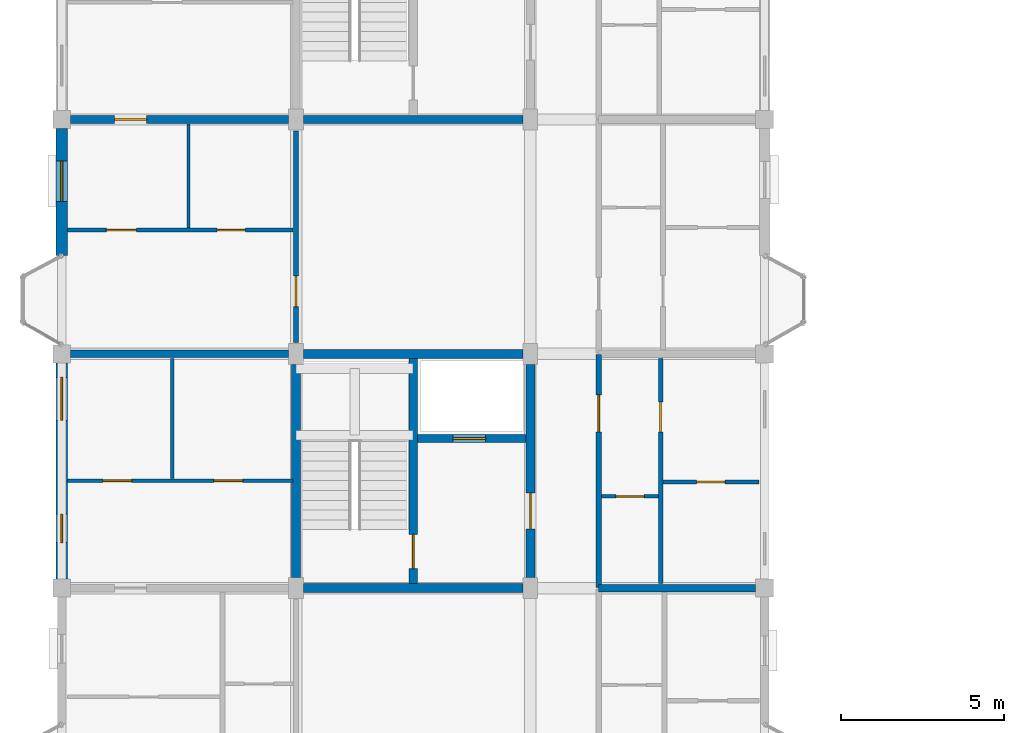
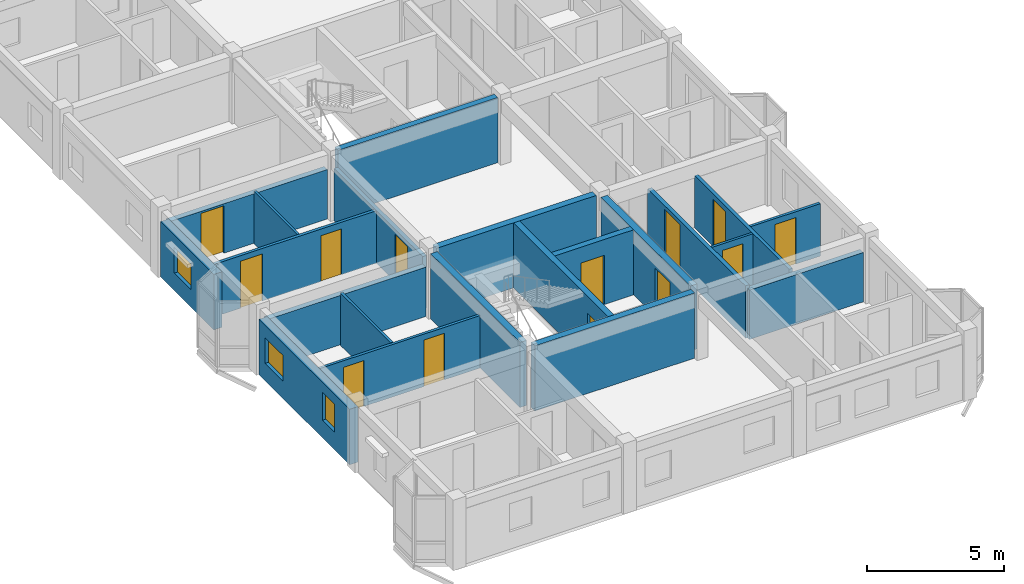
# One storey, part 56 of 77: 21 walls, 13 doors, 3 windows, 16 openings.
"""IFC4 building model written with IfcOpenShell, lengths in metres."""

from ifc_helpers import new_model, si_unit, direction, frame, frame_2d, origin, place, context, subcontext, project, spatial, rectangle, extrude, material, layer, layer_set, type_object, element, fill, save


model = new_model("IFC4")

# Units and contexts
model_context = context("Model", 3, precision=1e-05, world=origin(), true_north=direction((0.0, 1.0)))
body_context = subcontext(model_context, "Body", "Model", "MODEL_VIEW")
ifc_project = project(units=[si_unit("LENGTHUNIT", "METRE"), si_unit("AREAUNIT", "SQUARE_METRE"), si_unit("VOLUMEUNIT", "CUBIC_METRE"), si_unit("PLANEANGLEUNIT", "RADIAN"), si_unit("MASSUNIT", "GRAM", prefix="KILO"), si_unit("THERMODYNAMICTEMPERATUREUNIT", "KELVIN"), si_unit("POWERUNIT", "WATT")], contexts=[model_context])

# Site, building, storey
site_placement = place(None, origin())
site = spatial("IfcSite", under=ifc_project, at=site_placement, CompositionType="ELEMENT")
building_placement = place(site_placement, origin())
building = spatial("IfcBuilding", under=site, at=building_placement, Name="Tavuni Mirador Residences", CompositionType="ELEMENT")
storey_placement = place(building_placement, frame((0.0, 0.0, 17.10009765625)))
storey = spatial("IfcBuildingStorey", under=building, at=storey_placement, Name="L05", CompositionType="ELEMENT", Elevation=17.10009765625)

# Wall, opening, door
ifc_material_1 = material(Name="Precast concrete C40/50", Category="concrete")
ifc_layer_1 = layer(ifc_material_1, 0.25, Name="Precast concrete C40/50", Category="concrete")
ifc_layer_set_1 = layer_set([ifc_layer_1], Name="Precast concrete C40/50")
wall_type_1 = type_object("IfcWallType", Name="WT-COR250", PredefinedType="SHEAR", material=ifc_layer_set_1)
wall_1_placement = place(storey_placement, frame((14.39990234375, 72.139892578125, 0.0), z_axis=(0.0, 0.0, 1.0), x_axis=(0.0, 1.0, 0.0)))
wall_1 = element("IfcWall", 1, at=wall_1_placement, inside=storey, type_object=wall_type_1, Name="CWALL-C3-L05-MID", PredefinedType="SHEAR", context=body_context, shape_type="SweptSolid", body=[
    extrude(rectangle(XDim=6.920166015625, YDim=0.25, at=frame_2d((3.4599609375, 0.0))), origin(), (0.0, 0.0, 1.0), 2.909912109375),
])
opening_1_placement = place(wall_1_placement, frame((0.4599609375, 0.0, 0.0)))
opening_1 = element("IfcOpeningElement", 2, at=opening_1_placement, cuts=wall_1, Name="Opening D-01", PredefinedType="OPENING", context=body_context, shape_type="SweptSolid", body=[
    extrude(rectangle(XDim=1.050048828125, YDim=2.14990234375, at=frame_2d((0.52490234375, 1.074951171875))), frame((0.0, 0.135009765625, 0.0), z_axis=(0.0, -1.0, 0.0), x_axis=(1.0, 0.0, 0.0)), (0.0, 0.0, 1.0), 0.27001953125),
])
ifc_material_2 = material(Name="Solid core iroko timber", Category="wood")
door_type_1 = type_object("IfcDoorType", Name="DT-ST1050", OperationType="NOTDEFINED", PredefinedType="DOOR", material=ifc_material_2)
door_1_placement = place(opening_1_placement, origin())
door_1 = element("IfcDoor", 3, at=door_1_placement, inside=storey, type_object=door_type_1, Name="DR-2128", OperationType="SINGLE_SWING_RIGHT", OverallHeight=2.14990234375, OverallWidth=1.050048828125, PredefinedType="DOOR", context=body_context, shape_type="SweptSolid", body=[
    extrude(rectangle(XDim=1.050048828125, YDim=2.14990234375, at=frame_2d((0.52490234375, 1.074951171875))), frame((0.0, 0.02490234375, 0.0), z_axis=(0.0, -1.0, 0.0), x_axis=(1.0, 0.0, 0.0)), (0.0, 0.0, 1.0), 0.050048828125),
])
fill(opening_1, door_1)

wall_2_placement = place(storey_placement, frame((14.52490234375, 76.60009765625, 0.0), z_axis=(0.0, 0.0, 1.0), x_axis=(1.0, 0.0, 0.0)))
wall_2 = element("IfcWall", 4, at=wall_2_placement, inside=storey, type_object=wall_type_1, Name="CWALL-C3-L05-SHF", PredefinedType="SHEAR", context=body_context, shape_type="SweptSolid", body=[
    extrude(rectangle(XDim=3.335205078125, YDim=0.25, at=frame_2d((1.66748046875, 0.0))), origin(), (0.0, 0.0, 1.0), 2.909912109375),
])
opening_2_placement = place(wall_2_placement, frame((1.10009765625, 0.0, 0.0)))
opening_2 = element("IfcOpeningElement", 5, at=opening_2_placement, cuts=wall_2, Name="Opening LD-02", PredefinedType="OPENING", context=body_context, shape_type="SweptSolid", body=[
    extrude(rectangle(XDim=1.0, YDim=2.199951171875, at=frame_2d((0.5, 1.10009765625))), frame((0.0, 0.135009765625, 0.0), z_axis=(0.0, -1.0, 0.0), x_axis=(1.0, 0.0, 0.0)), (0.0, 0.0, 1.0), 0.27001953125),
])
ifc_material_3 = material(Name="Structural steel S355", Category="steel")
door_type_2 = type_object("IfcDoorType", Name="DT-LD-PAX", OperationType="SLIDING_TO_LEFT", PredefinedType="DOOR", material=ifc_material_3)
door_2_placement = place(opening_2_placement, origin())
door_2 = element("IfcDoor", 6, at=door_2_placement, inside=storey, type_object=door_type_2, Name="Lift landing door PL-B1 L05", OperationType="SLIDING_TO_LEFT", OverallHeight=2.199951171875, OverallWidth=1.0, PredefinedType="DOOR", context=body_context, shape_type="SweptSolid", body=[
    extrude(rectangle(XDim=1.0, YDim=2.199951171875, at=frame_2d((0.5, 1.10009765625))), frame((0.0, 0.02490234375, 0.0), z_axis=(0.0, -1.0, 0.0), x_axis=(1.0, 0.0, 0.0)), (0.0, 0.0, 1.0), 0.050048828125),
])
fill(opening_2, door_2)

# Walls
wall_3_placement = place(storey_placement, frame((11.02490234375, 86.39990234375, 0.0), z_axis=(0.0, 0.0, 1.0), x_axis=(1.0, 0.0, 0.0)))
element("IfcWall", 7, at=wall_3_placement, inside=storey, type_object=wall_type_1, Name="CWALL-C4-L05-SS", PredefinedType="SHEAR", context=body_context, shape_type="SweptSolid", body=[
    extrude(rectangle(XDim=6.75, YDim=0.25, at=frame_2d((3.375, 0.0))), origin(), (0.0, 0.0, 1.0), 2.909912109375),
])
ifc_layer_2 = layer(ifc_material_1, 0.280029296875, Name="Precast concrete C40/50", Category="concrete")
ifc_layer_set_2 = layer_set([ifc_layer_2], Name="Precast concrete C40/50")
wall_type_2 = type_object("IfcWallType", Name="WT-COR280", PredefinedType="SHEAR", material=ifc_layer_set_2)
wall_4_placement = place(storey_placement, frame((10.800048828125, 72.324951171875, 0.0), z_axis=(0.0, 0.0, 1.0), x_axis=(0.0, 1.0, 0.0)))
element("IfcWall", 8, at=wall_4_placement, inside=storey, type_object=wall_type_2, Name="CWALL-C3-L05-W", PredefinedType="SHEAR", context=body_context, shape_type="SweptSolid", body=[
    extrude(rectangle(XDim=6.550048828125, YDim=0.280029296875, at=frame_2d((3.27490234375, 0.0))), origin(), (0.0, 0.0, 1.0), 2.909912109375),
])
wall_5_placement = place(storey_placement, frame((11.02490234375, 79.199951171875, 0.0), z_axis=(0.0, 0.0, 1.0), x_axis=(1.0, 0.0, 0.0)))
element("IfcWall", 9, at=wall_5_placement, inside=storey, type_object=wall_type_2, Name="CWALL-C3-L05-N", PredefinedType="SHEAR", context=body_context, shape_type="SweptSolid", body=[
    extrude(rectangle(XDim=6.75, YDim=0.280029296875, at=frame_2d((3.375, 0.0))), origin(), (0.0, 0.0, 1.0), 2.909912109375),
])

# Wall, opening, door
wall_6_placement = place(storey_placement, frame((18.0, 72.324951171875, 0.0), z_axis=(0.0, 0.0, 1.0), x_axis=(0.0, 1.0, 0.0)))
wall_6 = element("IfcWall", 10, at=wall_6_placement, inside=storey, type_object=wall_type_2, Name="CWALL-C3-L05-E", PredefinedType="SHEAR", context=body_context, shape_type="SweptSolid", body=[
    extrude(rectangle(XDim=6.550048828125, YDim=0.280029296875, at=frame_2d((3.27490234375, 0.0))), origin(), (0.0, 0.0, 1.0), 2.909912109375),
])
opening_3_placement = place(wall_6_placement, frame((1.5, 0.0, 0.0)))
opening_3 = element("IfcOpeningElement", 11, at=opening_3_placement, cuts=wall_6, Name="Opening D-02", PredefinedType="OPENING", context=body_context, shape_type="SweptSolid", body=[
    extrude(rectangle(XDim=1.10009765625, YDim=2.14990234375, at=frame_2d((0.550048828125, 1.074951171875))), frame((0.0, 0.14990234375, 0.0), z_axis=(0.0, -1.0, 0.0), x_axis=(1.0, 0.0, 0.0)), (0.0, 0.0, 1.0), 0.300048828125),
])
door_type_3 = type_object("IfcDoorType", Name="DT-LOB1100", OperationType="NOTDEFINED", PredefinedType="DOOR", material=ifc_material_2)
door_3_placement = place(opening_3_placement, frame((1.10009765625, 0.0, 0.0), z_axis=(0.0, 0.0, 1.0), x_axis=(-1.0, 0.0, 0.0)))
door_3 = element("IfcDoor", 12, at=door_3_placement, inside=storey, type_object=door_type_3, Name="DR-2127", OperationType="SINGLE_SWING_RIGHT", OverallHeight=2.14990234375, OverallWidth=1.10009765625, PredefinedType="DOOR", context=body_context, shape_type="SweptSolid", body=[
    extrude(rectangle(XDim=1.10009765625, YDim=2.14990234375, at=frame_2d((0.550048828125, 1.074951171875))), frame((0.0, 0.02490234375, 0.0), z_axis=(0.0, -1.0, 0.0), x_axis=(1.0, 0.0, 0.0)), (0.0, 0.0, 1.0), 0.050048828125),
])
fill(opening_3, door_3)

# Wall
wall_7_placement = place(storey_placement, frame((11.02490234375, 72.0, 0.0), z_axis=(0.0, 0.0, 1.0), x_axis=(1.0, 0.0, 0.0)))
element("IfcWall", 13, at=wall_7_placement, inside=storey, type_object=wall_type_2, Name="CWALL-C3-L05-SS", PredefinedType="SHEAR", context=body_context, shape_type="SweptSolid", body=[
    extrude(rectangle(XDim=6.75, YDim=0.280029296875, at=frame_2d((3.375, 0.0))), origin(), (0.0, 0.0, 1.0), 2.909912109375),
])

# Wall, opening, door
ifc_layer_3 = layer(ifc_material_1, 0.1650390625, Name="Precast concrete C40/50", Category="concrete")
ifc_layer_set_3 = layer_set([ifc_layer_3], Name="Precast concrete C40/50")
wall_type_3 = type_object("IfcWallType", Name="WT-CORR165", PredefinedType="PARTITIONING", material=ifc_layer_set_3)
wall_8_placement = place(storey_placement, frame((20.10009765625, 72.02001953125, 0.0), z_axis=(0.0, 0.0, 1.0), x_axis=(0.0, 1.0, 0.0)))
wall_8 = element("IfcWall", 14, at=wall_8_placement, inside=storey, type_object=wall_type_3, Name="CORW-BLK-B-L05-0-01", PredefinedType="PARTITIONING", context=body_context, shape_type="SweptSolid", body=[
    extrude(rectangle(XDim=7.159912109375, YDim=0.1650390625, at=frame_2d((3.580078125, 0.0))), origin(), (0.0, 0.0, 1.0), 2.344970703125),
])
opening_4_placement = place(wall_8_placement, frame((4.780029296875, 0.0, 0.0)))
opening_4 = element("IfcOpeningElement", 15, at=opening_4_placement, cuts=wall_8, Name="Opening D-20", PredefinedType="OPENING", context=body_context, shape_type="SweptSolid", body=[
    extrude(rectangle(XDim=1.139892578125, YDim=2.179931640625, at=frame_2d((0.56982421875, 1.08984375))), frame((0.0, 0.092529296875, 0.0), z_axis=(0.0, -1.0, 0.0), x_axis=(1.0, 0.0, 0.0)), (0.0, 0.0, 1.0), 0.18505859375),
])
door_type_4 = type_object("IfcDoorType", Name="DT-FD60-1140", OperationType="NOTDEFINED", PredefinedType="DOOR", material=ifc_material_2)
door_4_placement = place(opening_4_placement, origin())
door_4 = element("IfcDoor", 16, at=door_4_placement, inside=storey, type_object=door_type_4, Name="DR-2570", OperationType="SINGLE_SWING_LEFT", OverallHeight=2.179931640625, OverallWidth=1.139892578125, PredefinedType="DOOR", context=body_context, shape_type="SweptSolid", body=[
    extrude(rectangle(XDim=1.139892578125, YDim=2.179931640625, at=frame_2d((0.56982421875, 1.08984375))), frame((0.0, 0.02490234375, 0.0), z_axis=(0.0, -1.0, 0.0), x_axis=(1.0, 0.0, 0.0)), (0.0, 0.0, 1.0), 0.050048828125),
])
fill(opening_4, door_4)

wall_9_placement = place(storey_placement, frame((10.800048828125, 79.550048828125, 0.0), z_axis=(0.0, 0.0, 1.0), x_axis=(0.0, 1.0, 0.0)))
wall_9 = element("IfcWall", 17, at=wall_9_placement, inside=storey, type_object=wall_type_3, Name="CORW-BLK-B-L05-1-02", PredefinedType="PARTITIONING", context=body_context, shape_type="SweptSolid", body=[
    extrude(rectangle(XDim=6.5, YDim=0.1650390625, at=frame_2d((3.25, 0.0))), origin(), (0.0, 0.0, 1.0), 2.344970703125),
])
opening_5_placement = place(wall_9_placement, frame((1.10009765625, 0.0, 0.0)))
opening_5 = element("IfcOpeningElement", 18, at=opening_5_placement, cuts=wall_9, Name="Opening D-19", PredefinedType="OPENING", context=body_context, shape_type="SweptSolid", body=[
    extrude(rectangle(XDim=0.93994140625, YDim=2.1201171875, at=frame_2d((0.469970703125, 1.06005859375))), frame((0.0, 0.092529296875, 0.0), z_axis=(0.0, -1.0, 0.0), x_axis=(1.0, 0.0, 0.0)), (0.0, 0.0, 1.0), 0.18505859375),
])
door_type_5 = type_object("IfcDoorType", Name="DT-FD60-940", OperationType="NOTDEFINED", PredefinedType="DOOR", material=ifc_material_2)
door_5_placement = place(opening_5_placement, origin())
door_5 = element("IfcDoor", 19, at=door_5_placement, inside=storey, type_object=door_type_5, Name="DR-2575", OperationType="SINGLE_SWING_RIGHT", OverallHeight=2.1201171875, OverallWidth=0.93994140625, PredefinedType="DOOR", context=body_context, shape_type="SweptSolid", body=[
    extrude(rectangle(XDim=0.93994140625, YDim=2.1201171875, at=frame_2d((0.469970703125, 1.06005859375))), frame((0.0, 0.02490234375, 0.0), z_axis=(0.0, -1.0, 0.0), x_axis=(1.0, 0.0, 0.0)), (0.0, 0.0, 1.0), 0.050048828125),
])
fill(opening_5, door_5)

# Wall, opening, window
ifc_material_4 = material(Name="Sgraffito lime-rendered precast concrete C40/50", Category="concrete")
ifc_layer_4 = layer(ifc_material_4, 0.344970703125, Name="Sgraffito lime-rendered precast concrete C40/50", Category="concrete")
ifc_layer_set_4 = layer_set([ifc_layer_4], Name="Sgraffito lime-rendered precast concrete C40/50")
wall_type_4 = type_object("IfcWallType", Name="WT-EXT-PTY345", PredefinedType="SOLIDWALL", material=ifc_layer_set_4)
wall_10_placement = place(storey_placement, frame((3.60009765625, 86.125, 0.0), z_axis=(0.0, 0.0, 1.0), x_axis=(0.0, -1.0, 0.0)))
wall_10 = element("IfcWall", 20, at=wall_10_placement, inside=storey, type_object=wall_type_4, Name="EW-BLK-B-L05-W02", PredefinedType="SOLIDWALL", context=body_context, shape_type="SweptSolid", body=[
    extrude(rectangle(XDim=3.905029296875, YDim=0.344970703125, at=frame_2d((1.95263671875, 0.0))), origin(), (0.0, 0.0, 1.0), 2.47998046875),
])
opening_6_placement = place(wall_10_placement, frame((0.99755859375, 0.0, 0.780029296875)))
opening_6 = element("IfcOpeningElement", 21, at=opening_6_placement, cuts=wall_10, Name="Opening WN-06", PredefinedType="OPENING", context=body_context, shape_type="SweptSolid", body=[
    extrude(rectangle(XDim=1.239990234375, YDim=1.14990234375, at=frame_2d((0.6201171875, 0.574951171875))), frame((0.0, 0.1826171875, 0.0), z_axis=(0.0, -1.0, 0.0), x_axis=(1.0, 0.0, 0.0)), (0.0, 0.0, 1.0), 0.364990234375),
])
ifc_material_5 = material(Name="Laminated solar-control glass", Category="glass")
window_type_1 = type_object("IfcWindowType", Name="WNT-06", PartitioningType="SINGLE_PANEL", PredefinedType="WINDOW", material=ifc_material_5)
window_1_placement = place(opening_6_placement, origin())
window_1 = element("IfcWindow", 22, at=window_1_placement, inside=storey, type_object=window_type_1, Name="WIN-0720", OverallHeight=1.14990234375, OverallWidth=1.239990234375, PartitioningType="SINGLE_PANEL", PredefinedType="WINDOW", context=body_context, shape_type="SweptSolid", body=[
    extrude(rectangle(XDim=1.239990234375, YDim=1.14990234375, at=frame_2d((0.6201171875, 0.574951171875))), frame((0.0, 0.030029296875, 0.0), z_axis=(0.0, -1.0, 0.0), x_axis=(1.0, 0.0, 0.0)), (0.0, 0.0, 1.0), 0.06005859375),
])
fill(opening_6, window_1)

# Wall, openings, windows
wall_11_placement = place(storey_placement, frame((3.60009765625, 78.925048828125, 0.0), z_axis=(0.0, 0.0, 1.0), x_axis=(0.0, -1.0, 0.0)))
wall_11 = element("IfcWall", 23, at=wall_11_placement, inside=storey, type_object=wall_type_4, Name="EW-BLK-B-L05-W01", PredefinedType="SOLIDWALL", context=body_context, shape_type="SweptSolid", body=[
    extrude(rectangle(XDim=6.650146484375, YDim=0.344970703125, at=frame_2d((3.3251953125, 0.0))), origin(), (0.0, 0.0, 1.0), 2.47998046875),
])
opening_7_placement = place(wall_11_placement, frame((0.449951171875, 0.0, 0.780029296875)))
opening_7 = element("IfcOpeningElement", 24, at=opening_7_placement, cuts=wall_11, Name="Opening WN-07", PredefinedType="OPENING", context=body_context, shape_type="SweptSolid", body=[
    extrude(rectangle(XDim=1.320068359375, YDim=1.14990234375, at=frame_2d((0.66015625, 0.574951171875))), frame((0.0, 0.1826171875, 0.0), z_axis=(0.0, -1.0, 0.0), x_axis=(1.0, 0.0, 0.0)), (0.0, 0.0, 1.0), 0.364990234375),
])
opening_8_placement = place(wall_11_placement, frame((4.64990234375, 0.0, 0.780029296875)))
opening_8 = element("IfcOpeningElement", 25, at=opening_8_placement, cuts=wall_11, Name="Opening WN-09", PredefinedType="OPENING", context=body_context, shape_type="SweptSolid", body=[
    extrude(rectangle(XDim=0.8798828125, YDim=1.260009765625, at=frame_2d((0.43994140625, 0.6298828125))), frame((0.0, 0.1826171875, 0.0), z_axis=(0.0, -1.0, 0.0), x_axis=(1.0, 0.0, 0.0)), (0.0, 0.0, 1.0), 0.364990234375),
])
window_type_2 = type_object("IfcWindowType", Name="WNT-07", PartitioningType="SINGLE_PANEL", PredefinedType="WINDOW", material=ifc_material_5)
window_2_placement = place(opening_7_placement, origin())
window_2 = element("IfcWindow", 26, at=window_2_placement, inside=storey, type_object=window_type_2, Name="WIN-0721", OverallHeight=1.14990234375, OverallWidth=1.320068359375, PartitioningType="SINGLE_PANEL", PredefinedType="WINDOW", context=body_context, shape_type="SweptSolid", body=[
    extrude(rectangle(XDim=1.320068359375, YDim=1.14990234375, at=frame_2d((0.66015625, 0.574951171875))), frame((0.0, 0.030029296875, 0.0), z_axis=(0.0, -1.0, 0.0), x_axis=(1.0, 0.0, 0.0)), (0.0, 0.0, 1.0), 0.06005859375),
])
fill(opening_7, window_2)
window_type_3 = type_object("IfcWindowType", Name="WNT-09", PartitioningType="SINGLE_PANEL", PredefinedType="WINDOW", material=ifc_material_5)
window_3_placement = place(opening_8_placement, origin())
window_3 = element("IfcWindow", 27, at=window_3_placement, inside=storey, type_object=window_type_3, Name="WIN-0722", OverallHeight=1.260009765625, OverallWidth=0.8798828125, PartitioningType="SINGLE_PANEL", PredefinedType="WINDOW", context=body_context, shape_type="SweptSolid", body=[
    extrude(rectangle(XDim=0.8798828125, YDim=1.260009765625, at=frame_2d((0.43994140625, 0.6298828125))), frame((0.0, 0.030029296875, 0.0), z_axis=(0.0, -1.0, 0.0), x_axis=(1.0, 0.0, 0.0)), (0.0, 0.0, 1.0), 0.06005859375),
])
fill(opening_8, window_3)

# Walls
ifc_material_6 = material(Name="Acoustic gypsum and concrete block partition", Category="concrete")
ifc_layer_5 = layer(ifc_material_6, 0.094970703125, Name="Acoustic gypsum and concrete block partition", Category="concrete")
ifc_layer_set_5 = layer_set([ifc_layer_5], Name="Acoustic gypsum and concrete block partition")
wall_type_5 = type_object("IfcWallType", Name="WT-PART095", PredefinedType="PARTITIONING", material=ifc_layer_set_5)
wall_12_placement = place(storey_placement, frame((7.5, 83.070068359375, 0.0), z_axis=(0.0, 0.0, 1.0), x_axis=(0.0, 1.0, 0.0)))
element("IfcWall", 28, at=wall_12_placement, inside=storey, type_object=wall_type_5, Name="PW-BLK-B-L05-PF02-V", PredefinedType="PARTITIONING", context=body_context, shape_type="SweptSolid", body=[
    extrude(rectangle(XDim=3.18994140625, YDim=0.094970703125, at=frame_2d((1.594970703125, 0.0))), origin(), (0.0, 0.0, 1.0), 2.344970703125),
])
ifc_layer_6 = layer(ifc_material_6, 0.10498046875, Name="Acoustic gypsum and concrete block partition", Category="concrete")
ifc_layer_set_6 = layer_set([ifc_layer_6], Name="Acoustic gypsum and concrete block partition")
wall_type_6 = type_object("IfcWallType", Name="WT-PART105", PredefinedType="PARTITIONING", material=ifc_layer_set_6)
wall_13_placement = place(storey_placement, frame((7.0, 75.3701171875, 0.0), z_axis=(0.0, 0.0, 1.0), x_axis=(0.0, 1.0, 0.0)))
element("IfcWall", 29, at=wall_13_placement, inside=storey, type_object=wall_type_6, Name="PW-BLK-B-L05-PF01-V", PredefinedType="PARTITIONING", context=body_context, shape_type="SweptSolid", body=[
    extrude(rectangle(XDim=3.68994140625, YDim=0.10498046875, at=frame_2d((1.844970703125, 0.0))), origin(), (0.0, 0.0, 1.0), 2.344970703125),
])

# Wall, opening, door
wall_14_placement = place(storey_placement, frame((20.18994140625, 74.820068359375, 0.0), z_axis=(0.0, 0.0, 1.0), x_axis=(1.0, 0.0, 0.0)))
wall_14 = element("IfcWall", 30, at=wall_14_placement, inside=storey, type_object=wall_type_6, Name="PW-BLK-B-L05-E01-IN1", PredefinedType="PARTITIONING", context=body_context, shape_type="SweptSolid", body=[
    extrude(rectangle(XDim=1.739990234375, YDim=0.10498046875, at=frame_2d((0.8701171875, 0.0))), origin(), (0.0, 0.0, 1.0), 2.344970703125),
])
opening_9_placement = place(wall_14_placement, frame((0.43505859375, 0.0, 0.0)))
opening_9 = element("IfcOpeningElement", 31, at=opening_9_placement, cuts=wall_14, Name="Opening D-10", PredefinedType="OPENING", context=body_context, shape_type="SweptSolid", body=[
    extrude(rectangle(XDim=0.8701171875, YDim=2.050048828125, at=frame_2d((0.43505859375, 1.02490234375))), frame((0.0, 0.0625, 0.0), z_axis=(0.0, -1.0, 0.0), x_axis=(1.0, 0.0, 0.0)), (0.0, 0.0, 1.0), 0.125),
])
door_type_6 = type_object("IfcDoorType", Name="DT-WC870", OperationType="NOTDEFINED", PredefinedType="DOOR", material=ifc_material_2)
door_6_placement = place(opening_9_placement, origin())
door_6 = element("IfcDoor", 32, at=door_6_placement, inside=storey, type_object=door_type_6, Name="DR-3565", OperationType="SINGLE_SWING_LEFT", OverallHeight=2.050048828125, OverallWidth=0.8701171875, PredefinedType="DOOR", context=body_context, shape_type="SweptSolid", body=[
    extrude(rectangle(XDim=0.8701171875, YDim=2.050048828125, at=frame_2d((0.43505859375, 1.02490234375))), frame((0.0, 0.02490234375, 0.0), z_axis=(0.0, -1.0, 0.0), x_axis=(1.0, 0.0, 0.0)), (0.0, 0.0, 1.0), 0.050048828125),
])
fill(opening_9, door_6)

# Wall, openings, doors
ifc_layer_7 = layer(ifc_material_6, 0.114990234375, Name="Acoustic gypsum and concrete block partition", Category="concrete")
ifc_layer_set_7 = layer_set([ifc_layer_7], Name="Acoustic gypsum and concrete block partition")
wall_type_7 = type_object("IfcWallType", Name="WT-PART115", PredefinedType="PARTITIONING", material=ifc_layer_set_7)
wall_15_placement = place(storey_placement, frame((3.77490234375, 75.300048828125, 0.0), z_axis=(0.0, 0.0, 1.0), x_axis=(1.0, 0.0, 0.0)))
wall_15 = element("IfcWall", 33, at=wall_15_placement, inside=storey, type_object=wall_type_7, Name="PW-BLK-B-L05-PF01-H", PredefinedType="PARTITIONING", context=body_context, shape_type="SweptSolid", body=[
    extrude(rectangle(XDim=6.93505859375, YDim=0.114990234375, at=frame_2d((3.467529296875, 0.0))), origin(), (0.0, 0.0, 1.0), 2.344970703125),
])
opening_10_placement = place(wall_15_placement, frame((1.10009765625, 0.0, 0.0)))
opening_10 = element("IfcOpeningElement", 34, at=opening_10_placement, cuts=wall_15, Name="Opening D-10", PredefinedType="OPENING", context=body_context, shape_type="SweptSolid", body=[
    extrude(rectangle(XDim=0.8701171875, YDim=2.050048828125, at=frame_2d((0.43505859375, 1.02490234375))), frame((0.0, 0.0673828125, 0.0), z_axis=(0.0, -1.0, 0.0), x_axis=(1.0, 0.0, 0.0)), (0.0, 0.0, 1.0), 0.135009765625),
])
opening_11_placement = place(wall_15_placement, frame((4.5, 0.0, 0.0)))
opening_11 = element("IfcOpeningElement", 35, at=opening_11_placement, cuts=wall_15, Name="Opening D-08", PredefinedType="OPENING", context=body_context, shape_type="SweptSolid", body=[
    extrude(rectangle(XDim=0.8798828125, YDim=2.080078125, at=frame_2d((0.43994140625, 1.0400390625))), frame((0.0, 0.0673828125, 0.0), z_axis=(0.0, -1.0, 0.0), x_axis=(1.0, 0.0, 0.0)), (0.0, 0.0, 1.0), 0.135009765625),
])
door_type_7 = type_object("IfcDoorType", Name="DT-BED880", OperationType="NOTDEFINED", PredefinedType="DOOR", material=ifc_material_2)
door_7_placement = place(opening_11_placement, origin())
door_7 = element("IfcDoor", 36, at=door_7_placement, inside=storey, type_object=door_type_7, Name="DR-3563", OperationType="SINGLE_SWING_RIGHT", OverallHeight=2.080078125, OverallWidth=0.8798828125, PredefinedType="DOOR", context=body_context, shape_type="SweptSolid", body=[
    extrude(rectangle(XDim=0.8798828125, YDim=2.080078125, at=frame_2d((0.43994140625, 1.0400390625))), frame((0.0, 0.02490234375, 0.0), z_axis=(0.0, -1.0, 0.0), x_axis=(1.0, 0.0, 0.0)), (0.0, 0.0, 1.0), 0.050048828125),
])
fill(opening_11, door_7)
door_8_placement = place(opening_10_placement, origin())
door_8 = element("IfcDoor", 37, at=door_8_placement, inside=storey, type_object=door_type_6, Name="DR-3562", OperationType="SINGLE_SWING_LEFT", OverallHeight=2.050048828125, OverallWidth=0.8701171875, PredefinedType="DOOR", context=body_context, shape_type="SweptSolid", body=[
    extrude(rectangle(XDim=0.8701171875, YDim=2.050048828125, at=frame_2d((0.43505859375, 1.02490234375))), frame((0.0, 0.02490234375, 0.0), z_axis=(0.0, -1.0, 0.0), x_axis=(1.0, 0.0, 0.0)), (0.0, 0.0, 1.0), 0.050048828125),
])
fill(opening_10, door_8)

# Wall, opening, door
wall_16_placement = place(storey_placement, frame((22.070068359375, 75.260009765625, 0.0), z_axis=(0.0, 0.0, 1.0), x_axis=(1.0, 0.0, 0.0)))
wall_16 = element("IfcWall", 38, at=wall_16_placement, inside=storey, type_object=wall_type_7, Name="PW-BLK-B-L05-E01-OUT", PredefinedType="PARTITIONING", context=body_context, shape_type="SweptSolid", body=[
    extrude(rectangle(XDim=2.954833984375, YDim=0.114990234375, at=frame_2d((1.4775390625, 0.0))), origin(), (0.0, 0.0, 1.0), 2.344970703125),
])
opening_12_placement = place(wall_16_placement, frame((1.03759765625, 0.0, 0.0)))
opening_12 = element("IfcOpeningElement", 39, at=opening_12_placement, cuts=wall_16, Name="Opening D-08", PredefinedType="OPENING", context=body_context, shape_type="SweptSolid", body=[
    extrude(rectangle(XDim=0.8798828125, YDim=2.080078125, at=frame_2d((0.43994140625, 1.0400390625))), frame((0.0, 0.0673828125, 0.0), z_axis=(0.0, -1.0, 0.0), x_axis=(1.0, 0.0, 0.0)), (0.0, 0.0, 1.0), 0.135009765625),
])
door_9_placement = place(opening_12_placement, origin())
door_9 = element("IfcDoor", 40, at=door_9_placement, inside=storey, type_object=door_type_7, Name="DR-3564", OperationType="SINGLE_SWING_RIGHT", OverallHeight=2.080078125, OverallWidth=0.8798828125, PredefinedType="DOOR", context=body_context, shape_type="SweptSolid", body=[
    extrude(rectangle(XDim=0.8798828125, YDim=2.080078125, at=frame_2d((0.43994140625, 1.0400390625))), frame((0.0, 0.02490234375, 0.0), z_axis=(0.0, -1.0, 0.0), x_axis=(1.0, 0.0, 0.0)), (0.0, 0.0, 1.0), 0.050048828125),
])
fill(opening_12, door_9)

# Wall, openings, doors
ifc_layer_8 = layer(ifc_material_6, 0.125, Name="Acoustic gypsum and concrete block partition", Category="concrete")
ifc_layer_set_8 = layer_set([ifc_layer_8], Name="Acoustic gypsum and concrete block partition")
wall_type_8 = type_object("IfcWallType", Name="WT-PART125", PredefinedType="PARTITIONING", material=ifc_layer_set_8)
wall_17_placement = place(storey_placement, frame((3.77490234375, 83.0, 0.0), z_axis=(0.0, 0.0, 1.0), x_axis=(1.0, 0.0, 0.0)))
wall_17 = element("IfcWall", 41, at=wall_17_placement, inside=storey, type_object=wall_type_8, Name="PW-BLK-B-L05-PF02-H", PredefinedType="PARTITIONING", context=body_context, shape_type="SweptSolid", body=[
    extrude(rectangle(XDim=6.93505859375, YDim=0.125, at=frame_2d((3.467529296875, 0.0))), origin(), (0.0, 0.0, 1.0), 2.344970703125),
])
opening_13_placement = place(wall_17_placement, frame((4.60009765625, 0.0, 0.0)))
opening_13 = element("IfcOpeningElement", 42, at=opening_13_placement, cuts=wall_17, Name="Opening D-10", PredefinedType="OPENING", context=body_context, shape_type="SweptSolid", body=[
    extrude(rectangle(XDim=0.8701171875, YDim=2.050048828125, at=frame_2d((0.43505859375, 1.02490234375))), frame((0.0, 0.072509765625, 0.0), z_axis=(0.0, -1.0, 0.0), x_axis=(1.0, 0.0, 0.0)), (0.0, 0.0, 1.0), 0.14501953125),
])
opening_14_placement = place(wall_17_placement, frame((1.199951171875, 0.0, 0.0)))
opening_14 = element("IfcOpeningElement", 43, at=opening_14_placement, cuts=wall_17, Name="Opening D-06", PredefinedType="OPENING", context=body_context, shape_type="SweptSolid", body=[
    extrude(rectangle(XDim=0.919921875, YDim=2.10009765625, at=frame_2d((0.4599609375, 1.050048828125))), frame((0.0, 0.072509765625, 0.0), z_axis=(0.0, -1.0, 0.0), x_axis=(1.0, 0.0, 0.0)), (0.0, 0.0, 1.0), 0.14501953125),
])
door_type_8 = type_object("IfcDoorType", Name="DT-INT920", OperationType="NOTDEFINED", PredefinedType="DOOR", material=ifc_material_2)
door_10_placement = place(opening_14_placement, origin())
door_10 = element("IfcDoor", 44, at=door_10_placement, inside=storey, type_object=door_type_8, Name="DR-3568", OperationType="SINGLE_SWING_RIGHT", OverallHeight=2.10009765625, OverallWidth=0.919921875, PredefinedType="DOOR", context=body_context, shape_type="SweptSolid", body=[
    extrude(rectangle(XDim=0.919921875, YDim=2.10009765625, at=frame_2d((0.4599609375, 1.050048828125))), frame((0.0, 0.02490234375, 0.0), z_axis=(0.0, -1.0, 0.0), x_axis=(1.0, 0.0, 0.0)), (0.0, 0.0, 1.0), 0.050048828125),
])
fill(opening_14, door_10)
door_11_placement = place(opening_13_placement, origin())
door_11 = element("IfcDoor", 45, at=door_11_placement, inside=storey, type_object=door_type_6, Name="DR-3567", OperationType="SINGLE_SWING_LEFT", OverallHeight=2.050048828125, OverallWidth=0.8701171875, PredefinedType="DOOR", context=body_context, shape_type="SweptSolid", body=[
    extrude(rectangle(XDim=0.8701171875, YDim=2.050048828125, at=frame_2d((0.43505859375, 1.02490234375))), frame((0.0, 0.02490234375, 0.0), z_axis=(0.0, -1.0, 0.0), x_axis=(1.0, 0.0, 0.0)), (0.0, 0.0, 1.0), 0.050048828125),
])
fill(opening_13, door_11)

# Wall, opening, door
ifc_layer_9 = layer(ifc_material_6, 0.139892578125, Name="Acoustic gypsum and concrete block partition", Category="concrete")
ifc_layer_set_9 = layer_set([ifc_layer_9], Name="Acoustic gypsum and concrete block partition")
wall_type_9 = type_object("IfcWallType", Name="WT-PART140", PredefinedType="PARTITIONING", material=ifc_layer_set_9)
wall_18_placement = place(storey_placement, frame((22.0, 72.139892578125, 0.0), z_axis=(0.0, 0.0, 1.0), x_axis=(0.0, 1.0, 0.0)))
wall_18 = element("IfcWall", 46, at=wall_18_placement, inside=storey, type_object=wall_type_9, Name="PW-BLK-B-L05-E01-MID", PredefinedType="PARTITIONING", context=body_context, shape_type="SweptSolid", body=[
    extrude(rectangle(XDim=6.920166015625, YDim=0.139892578125, at=frame_2d((3.4599609375, 0.0))), origin(), (0.0, 0.0, 1.0), 2.344970703125),
])
opening_15_placement = place(wall_18_placement, frame((4.659912109375, 0.0, 0.0)))
opening_15 = element("IfcOpeningElement", 47, at=opening_15_placement, cuts=wall_18, Name="Opening D-06", PredefinedType="OPENING", context=body_context, shape_type="SweptSolid", body=[
    extrude(rectangle(XDim=0.919921875, YDim=2.10009765625, at=frame_2d((0.4599609375, 1.050048828125))), frame((0.0, 0.080078125, 0.0), z_axis=(0.0, -1.0, 0.0), x_axis=(1.0, 0.0, 0.0)), (0.0, 0.0, 1.0), 0.159912109375),
])
door_12_placement = place(opening_15_placement, origin())
door_12 = element("IfcDoor", 48, at=door_12_placement, inside=storey, type_object=door_type_8, Name="DR-3566", OperationType="SINGLE_SWING_RIGHT", OverallHeight=2.10009765625, OverallWidth=0.919921875, PredefinedType="DOOR", context=body_context, shape_type="SweptSolid", body=[
    extrude(rectangle(XDim=0.919921875, YDim=2.10009765625, at=frame_2d((0.4599609375, 1.050048828125))), frame((0.0, 0.02490234375, 0.0), z_axis=(0.0, -1.0, 0.0), x_axis=(1.0, 0.0, 0.0)), (0.0, 0.0, 1.0), 0.050048828125),
])
fill(opening_15, door_12)

# Walls
ifc_layer_10 = layer(ifc_material_1, 0.235107421875, Name="Precast concrete C40/50", Category="concrete")
ifc_layer_set_10 = layer_set([ifc_layer_10], Name="Precast concrete C40/50")
wall_type_10 = type_object("IfcWallType", Name="WT-XW235", PredefinedType="SOLIDWALL", material=ifc_layer_set_10)
wall_19_placement = place(storey_placement, frame((20.10009765625, 72.0, 0.0), z_axis=(0.0, 0.0, 1.0), x_axis=(1.0, 0.0, 0.0)))
element("IfcWall", 49, at=wall_19_placement, inside=storey, type_object=wall_type_10, Name="XW-BLK-B-L05-E-01", PredefinedType="SOLIDWALL", context=body_context, shape_type="SweptSolid", body=[
    extrude(rectangle(XDim=4.824951171875, YDim=0.235107421875, at=frame_2d((2.41259765625, 0.0))), origin(), (0.0, 0.0, 1.0), 2.2099609375),
])
wall_20_placement = place(storey_placement, frame((3.875, 79.199951171875, 0.0), z_axis=(0.0, 0.0, 1.0), x_axis=(1.0, 0.0, 0.0)))
element("IfcWall", 50, at=wall_20_placement, inside=storey, type_object=wall_type_10, Name="XW-BLK-B-L05-W-02", PredefinedType="SOLIDWALL", context=body_context, shape_type="SweptSolid", body=[
    extrude(rectangle(XDim=6.699951171875, YDim=0.235107421875, at=frame_2d((3.35009765625, 0.0))), origin(), (0.0, 0.0, 1.0), 2.2099609375),
])

# Wall, opening, door
wall_21_placement = place(storey_placement, frame((3.875, 86.39990234375, 0.0), z_axis=(0.0, 0.0, 1.0), x_axis=(1.0, 0.0, 0.0)))
wall_21 = element("IfcWall", 51, at=wall_21_placement, inside=storey, type_object=wall_type_10, Name="XW-BLK-B-L05-W-03", PredefinedType="SOLIDWALL", context=body_context, shape_type="SweptSolid", body=[
    extrude(rectangle(XDim=6.699951171875, YDim=0.235107421875, at=frame_2d((3.35009765625, 0.0))), origin(), (0.0, 0.0, 1.0), 2.2099609375),
])
opening_16_placement = place(wall_21_placement, frame((1.35009765625, 0.0, 0.0)))
opening_16 = element("IfcOpeningElement", 52, at=opening_16_placement, cuts=wall_21, Name="Opening D-04", PredefinedType="OPENING", context=body_context, shape_type="SweptSolid", body=[
    extrude(rectangle(XDim=0.97998046875, YDim=2.1201171875, at=frame_2d((0.489990234375, 1.06005859375))), frame((0.0, 0.12744140625, 0.0), z_axis=(0.0, -1.0, 0.0), x_axis=(1.0, 0.0, 0.0)), (0.0, 0.0, 1.0), 0.255126953125),
])
door_type_9 = type_object("IfcDoorType", Name="DT-FD60-980", OperationType="NOTDEFINED", PredefinedType="DOOR", material=ifc_material_2)
door_13_placement = place(opening_16_placement, origin())
door_13 = element("IfcDoor", 53, at=door_13_placement, inside=storey, type_object=door_type_9, Name="DR-4719", OperationType="SINGLE_SWING_RIGHT", OverallHeight=2.1201171875, OverallWidth=0.97998046875, PredefinedType="DOOR", context=body_context, shape_type="SweptSolid", body=[
    extrude(rectangle(XDim=0.97998046875, YDim=2.1201171875, at=frame_2d((0.489990234375, 1.06005859375))), frame((0.0, 0.02490234375, 0.0), z_axis=(0.0, -1.0, 0.0), x_axis=(1.0, 0.0, 0.0)), (0.0, 0.0, 1.0), 0.050048828125),
])
fill(opening_16, door_13)

save(model, "model.ifc")
